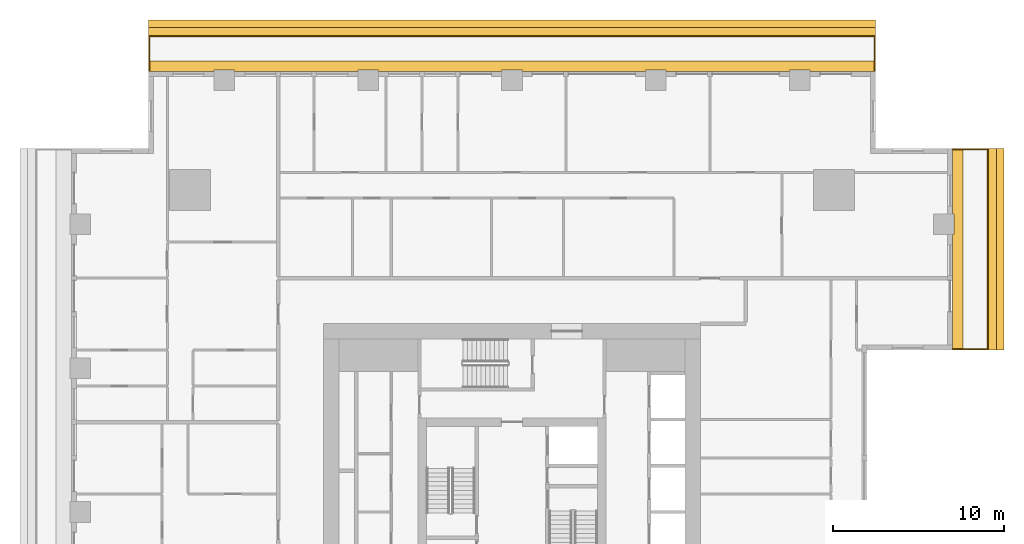
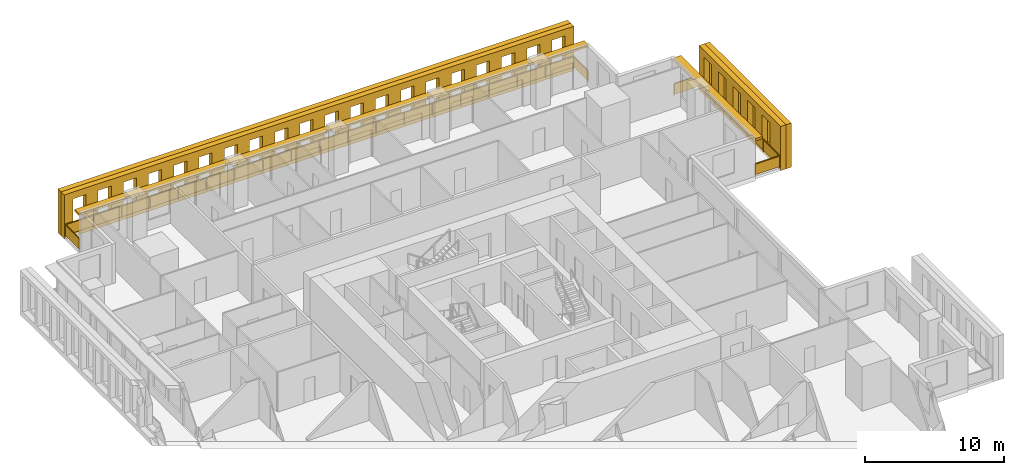
# One storey, part 15 of 15: 6 shading devices, 2 railings.
"""IFC4 building model written with IfcOpenShell, lengths in metres."""

import ifcopenshell
import ifcopenshell.guid

model = None  # the IFC model being written
_history = None  # IfcOwnerHistory: only IFC2X3 demands one
_inside = {}  # id of a spatial element -> (the spatial element, [elements in it])
_under = {}  # id of a project, library or spatial element -> (it, [spatial elements below it])
_declared = {}  # id of a project -> (the project, [libraries it declares])
_typed = {}  # id of a type object -> (the type object, [elements of that type])
_made_of = {}  # id of a material, layer set ... -> (it, [elements and type objects made of it])


def new_model(schema):
    """Start an empty IFC model of exactly this schema.

    Asked for "IFC4X3", IfcOpenShell would pick the latest addendum, in which some entities
    have other attributes; the version numbers below select the first issue.
    IFC2X3 requires an IfcOwnerHistory on every rooted entity: one is made here for all.
    """
    global model, _history
    if schema == "IFC4X3":
        model = ifcopenshell.file(schema_version=(4, 3, 0, 0))
    else:
        model = ifcopenshell.file(schema=schema)
    _inside.clear()
    _under.clear()
    _declared.clear()
    _typed.clear()
    _made_of.clear()
    _history = None
    if model.schema == "IFC2X3":
        org = make("IfcOrganization", Name="unknown")
        user = make(
            "IfcPersonAndOrganization",
            ThePerson=make("IfcPerson", FamilyName="unknown"),
            TheOrganization=org,
        )
        app = make(
            "IfcApplication",
            ApplicationDeveloper=org,
            Version="unknown",
            ApplicationFullName="unknown",
            ApplicationIdentifier="unknown",
        )
        _history = make(
            "IfcOwnerHistory",
            OwningUser=user,
            OwningApplication=app,
            ChangeAction="ADDED",
            CreationDate=0,
        )
    return model


def make(cls, **values):
    """One entity of the class cls with the attributes given. An attribute that is None is left unset."""
    return model.create_entity(
        cls, **{name: value for name, value in values.items() if value is not None}
    )


def rooted(cls, **values):
    """An entity with a GlobalId (a new one), such as an element, a storey or a relation."""
    return make(cls, GlobalId=ifcopenshell.guid.new(), OwnerHistory=_history, **values)


def si_unit(unit_type, name, prefix=None):
    """IfcSIUnit, for example si_unit("LENGTHUNIT", "METRE", prefix="MILLI")."""
    return make("IfcSIUnit", UnitType=unit_type, Prefix=prefix, Name=name)


def assignment(units):
    """IfcUnitAssignment: the units of a project."""
    return None if units is None else make("IfcUnitAssignment", Units=units)


def point(xyz):
    """IfcCartesianPoint."""
    return None if xyz is None else make("IfcCartesianPoint", Coordinates=xyz)


def direction(xyz):
    """IfcDirection."""
    return None if xyz is None else make("IfcDirection", DirectionRatios=xyz)


def frame(location, z_axis=None, x_axis=None):
    """IfcAxis2Placement3D, a coordinate frame: its origin and axes. An axis left out is left unset."""
    return make(
        "IfcAxis2Placement3D",
        Location=point(location),
        Axis=direction(z_axis),
        RefDirection=direction(x_axis),
    )


def frame_2d(location, x_axis=None):
    """IfcAxis2Placement2D, a coordinate frame in the plane: its origin and x axis."""
    return make(
        "IfcAxis2Placement2D", Location=point(location), RefDirection=direction(x_axis)
    )


def origin():
    """The frame at (0, 0, 0) with its axes left unset."""
    return frame((0.0, 0.0, 0.0))


def origin_2d():
    """The frame at (0, 0) in the plane with its x axis left unset."""
    return frame_2d((0.0, 0.0))


def place(relative_to, where):
    """IfcLocalPlacement: puts the frame where relative to a parent placement (None: the world)."""
    return make(
        "IfcLocalPlacement", PlacementRelTo=relative_to, RelativePlacement=where
    )


def context(
    kind, dimensions, precision=None, world=None, true_north=None, identifier=None
):
    """IfcGeometricRepresentationContext, for example the 3D "Model" context."""
    return make(
        "IfcGeometricRepresentationContext",
        ContextIdentifier=identifier,
        ContextType=kind,
        CoordinateSpaceDimension=dimensions,
        Precision=precision,
        WorldCoordinateSystem=world,
        TrueNorth=true_north,
    )


def subcontext(parent, identifier, kind, view, scale=None):
    """IfcGeometricRepresentationSubContext, for example "Body" below "Model"."""
    return make(
        "IfcGeometricRepresentationSubContext",
        ContextIdentifier=identifier,
        ContextType=kind,
        ParentContext=parent,
        TargetScale=scale,
        TargetView=view,
    )


def project(units=None, contexts=None):
    """IfcProject with its units and contexts."""
    return rooted(
        "IfcProject",
        Name="project",
        RepresentationContexts=contexts,
        UnitsInContext=assignment(units),
    )


def spatial(cls, under=None, at=None, **own):
    """A site, building, storey or space (cls), placed at a placement, below another one or the project."""
    s = rooted(cls, ObjectPlacement=at, **own)
    if under is not None:
        _under.setdefault(under.id(), (under, []))[1].append(s)
    return s


def polyline(points):
    """IfcPolyline through the points."""
    return make("IfcPolyline", Points=[point(p) for p in points])


def profile(cls, at=None, kind="AREA", **sizes):
    """A parametric profile (cls). Its sizes go by their IFC names, for example OverallWidth=200.0."""
    return make(cls, ProfileType=kind, Position=at, **sizes)


def rectangle(**sizes):
    """IfcRectangleProfileDef."""
    return profile("IfcRectangleProfileDef", **sizes)


def outline(outer, holes=None, kind="AREA"):
    """IfcArbitraryClosedProfileDef: a profile drawn as a closed curve; with holes, ...WithVoids."""
    if holes is None:
        return make("IfcArbitraryClosedProfileDef", ProfileType=kind, OuterCurve=outer)
    return make(
        "IfcArbitraryProfileDefWithVoids",
        ProfileType=kind,
        OuterCurve=outer,
        InnerCurves=holes,
    )


def extrude(swept, where, along, depth):
    """IfcExtrudedAreaSolid: the profile swept, set in the frame where, extruded along a direction by depth."""
    return make(
        "IfcExtrudedAreaSolid",
        SweptArea=swept,
        Position=where,
        ExtrudedDirection=direction(along),
        Depth=depth,
    )


def shape(context_of_items, identifier, shape_type, items):
    """IfcShapeRepresentation: the items that make up one representation, for example the "Body"."""
    return make(
        "IfcShapeRepresentation",
        ContextOfItems=context_of_items,
        RepresentationIdentifier=identifier,
        RepresentationType=shape_type,
        Items=items,
    )


def material(Name=None, Category=None):
    """IfcMaterial."""
    return make("IfcMaterial", Name=Name, Category=Category)


def layer(
    of_material, thickness, ventilated=None, Name=None, Category=None, Priority=None
):
    """IfcMaterialLayer: one layer of a wall or slab, of a material (None: an air gap)."""
    return make(
        "IfcMaterialLayer",
        Material=of_material,
        LayerThickness=thickness,
        IsVentilated=ventilated,
        Name=Name,
        Category=Category,
        Priority=Priority,
    )


def layer_set(layers, Name=None):
    """IfcMaterialLayerSet."""
    return make("IfcMaterialLayerSet", MaterialLayers=layers, LayerSetName=Name)


def made_of(thing, what):
    """Note that an element or type object is made of a material, layer set ...; save() writes the relation."""
    if what is not None:
        _made_of.setdefault(what.id(), (what, []))[1].append(thing)
    return thing


def type_object(cls, material=None, **own):
    """A type object (cls), such as IfcWallType, which elements share."""
    return made_of(rooted(cls, **own), material)


def element(
    cls,
    number,
    at=None,
    inside=None,
    cuts=None,
    type_object=None,
    material=None,
    context=None,
    identifier="Body",
    shape_type=None,
    held_by="IfcProductDefinitionShape",
    body=None,
    shapes=None,
    **own,
):
    """One element of the class cls, such as IfcWall. Its Tag is "e" and its number.

    at: its placement. inside: the storey or other place that contains it. cuts: it is an
    opening in that element (IfcRelVoidsElement). A single representation is given by context,
    identifier, shape_type and body (its items); several are given by shapes. held_by: the class
    of the entity that holds the representations. save() writes the other relations.
    """
    e = rooted(cls, Tag="e%d" % number, ObjectPlacement=at, **own)
    if body is not None:
        shapes = [shape(context, identifier, shape_type, body)]
    if shapes is not None:
        e.Representation = make(held_by, Representations=shapes)
    if inside is not None:
        _inside.setdefault(inside.id(), (inside, []))[1].append(e)
    if cuts is not None:
        rooted(
            "IfcRelVoidsElement", RelatingBuildingElement=cuts, RelatedOpeningElement=e
        )
    if type_object is not None:
        _typed.setdefault(type_object.id(), (type_object, []))[1].append(e)
    return made_of(e, material)


def aggregate(whole, parts):
    """IfcRelAggregates: a whole, such as a stair, and the parts it consists of."""
    return rooted("IfcRelAggregates", RelatingObject=whole, RelatedObjects=parts)


def save(model, path):
    """Write the relations noted so far, then the file.

    IfcRelAggregates (storeys below a building ...), IfcRelContainedInSpatialStructure (elements
    in a storey), IfcRelDefinesByType, IfcRelAssociatesMaterial and IfcRelDeclares: one each for
    every whole, place, type object, material and project.
    """
    for whole, parts in _under.values():
        aggregate(whole, parts)
    for where, things in _inside.values():
        rooted(
            "IfcRelContainedInSpatialStructure",
            RelatedElements=things,
            RelatingStructure=where,
        )
    for kind, things in _typed.values():
        rooted("IfcRelDefinesByType", RelatedObjects=things, RelatingType=kind)
    for what, things in _made_of.values():
        rooted("IfcRelAssociatesMaterial", RelatedObjects=things, RelatingMaterial=what)
    for by, libraries in _declared.values():
        rooted("IfcRelDeclares", RelatingContext=by, RelatedDefinitions=libraries)
    model.write(path)


model = new_model("IFC4")

# Units and contexts
model_context = context("Model", 3, precision=1e-05, world=origin(), true_north=direction((0.0, 1.0)))
body_context = subcontext(model_context, "Body", "Model", "MODEL_VIEW")
ifc_project = project(units=[si_unit("LENGTHUNIT", "METRE"), si_unit("AREAUNIT", "SQUARE_METRE"), si_unit("VOLUMEUNIT", "CUBIC_METRE"), si_unit("PLANEANGLEUNIT", "RADIAN"), si_unit("MASSUNIT", "GRAM", prefix="KILO")], contexts=[model_context])

# Site, building, storey
site_placement = place(None, origin())
site = spatial("IfcSite", under=ifc_project, at=site_placement, CompositionType="ELEMENT")
building_placement = place(site_placement, origin())
building = spatial("IfcBuilding", under=site, at=building_placement, Name="Khepri Terraces", CompositionType="ELEMENT")
storey_placement = place(building_placement, frame((0.0, 0.0, 215.699951171875)))
storey = spatial("IfcBuildingStorey", under=building, at=storey_placement, Name="L51", CompositionType="ELEMENT", Elevation=215.699951171875)

# Railings
ifc_material_1 = material(Name="Stainless steel grade 316", Category="steel")
railing_type = type_object("IfcRailingType", Name="GRD-BAL-1100", PredefinedType="GUARDRAIL", material=ifc_material_1)
railing_1_placement = place(storey_placement, frame((25.719970703125, 9.5, 0.0)))
element("IfcRailing", 1, at=railing_1_placement, inside=storey, type_object=railing_type, Name="Balcony guard L51 E", PredefinedType="GUARDRAIL", context=body_context, shape_type="SweptSolid", body=[
    extrude(rectangle(XDim=0.050048828125, YDim=0.06005859375, at=origin_2d()), frame((0.0, 0.0, 1.070068359375), z_axis=(1.0, 0.0, 0.0), x_axis=(0.0, 1.0, 0.0)), (0.0, 0.0, 1.0), 2.050048828125),
    extrude(rectangle(XDim=2.0, YDim=0.011962890625, at=origin_2d()), frame((1.02490234375, 0.0, 0.10009765625), z_axis=(0.0, 0.0, 1.0), x_axis=(1.0, 0.0, 0.0)), (0.0, 0.0, 1.0), 0.93994140625),
    extrude(rectangle(XDim=0.050048828125, YDim=0.06005859375, at=origin_2d()), frame((2.050048828125, 0.0, 1.070068359375), z_axis=(0.0, 1.0, 0.0), x_axis=(-1.0, 0.0, 0.0)), (0.0, 0.0, 1.0), 11.669921875),
    extrude(rectangle(XDim=2.283935546875, YDim=0.011962890625, at=origin_2d()), frame((2.050048828125, 1.1669921875, 0.10009765625), z_axis=(0.0, 0.0, 1.0), x_axis=(0.0, 1.0, 0.0)), (0.0, 0.0, 1.0), 0.93994140625),
    extrude(rectangle(XDim=2.283935546875, YDim=0.011962890625, at=origin_2d()), frame((2.050048828125, 3.5009765625, 0.10009765625), z_axis=(0.0, 0.0, 1.0), x_axis=(0.0, 1.0, 0.0)), (0.0, 0.0, 1.0), 0.93994140625),
    extrude(rectangle(XDim=2.283935546875, YDim=0.011962890625, at=origin_2d()), frame((2.050048828125, 5.8349609375, 0.10009765625), z_axis=(0.0, 0.0, 1.0), x_axis=(0.0, 1.0, 0.0)), (0.0, 0.0, 1.0), 0.93994140625),
    extrude(rectangle(XDim=2.283935546875, YDim=0.011962890625, at=origin_2d()), frame((2.050048828125, 8.1689453125, 0.10009765625), z_axis=(0.0, 0.0, 1.0), x_axis=(0.0, 1.0, 0.0)), (0.0, 0.0, 1.0), 0.93994140625),
    extrude(rectangle(XDim=2.283935546875, YDim=0.011962890625, at=origin_2d()), frame((2.050048828125, 10.5029296875, 0.10009765625), z_axis=(0.0, 0.0, 1.0), x_axis=(0.0, 1.0, 0.0)), (0.0, 0.0, 1.0), 0.93994140625),
    extrude(rectangle(XDim=0.050048828125, YDim=0.06005859375, at=origin_2d()), frame((2.050048828125, 11.669921875, 1.070068359375), z_axis=(-1.0, 0.0, 0.0), x_axis=(0.0, -1.0, 0.0)), (0.0, 0.0, 1.0), 2.050048828125),
    extrude(rectangle(XDim=2.0, YDim=0.011962890625, at=origin_2d()), frame((1.02490234375, 11.669921875, 0.10009765625), z_axis=(0.0, 0.0, 1.0), x_axis=(-1.0, 0.0, 0.0)), (0.0, 0.0, 1.0), 0.93994140625),
    extrude(rectangle(XDim=0.050048828125, YDim=0.050048828125, at=origin_2d()), origin(), (0.0, 0.0, 1.0), 1.0400390625),
    extrude(rectangle(XDim=0.050048828125, YDim=0.050048828125, at=origin_2d()), frame((2.050048828125, 0.0, 0.0)), (0.0, 0.0, 1.0), 1.0400390625),
    extrude(rectangle(XDim=0.050048828125, YDim=0.050048828125, at=origin_2d()), frame((2.050048828125, 2.333984375, 0.0)), (0.0, 0.0, 1.0), 1.0400390625),
    extrude(rectangle(XDim=0.050048828125, YDim=0.050048828125, at=origin_2d()), frame((2.050048828125, 4.66796875, 0.0)), (0.0, 0.0, 1.0), 1.0400390625),
    extrude(rectangle(XDim=0.050048828125, YDim=0.050048828125, at=origin_2d()), frame((2.050048828125, 7.001953125, 0.0)), (0.0, 0.0, 1.0), 1.0400390625),
    extrude(rectangle(XDim=0.050048828125, YDim=0.050048828125, at=origin_2d()), frame((2.050048828125, 9.3359375, 0.0)), (0.0, 0.0, 1.0), 1.0400390625),
    extrude(rectangle(XDim=0.050048828125, YDim=0.050048828125, at=origin_2d()), frame((2.050048828125, 11.669921875, 0.0)), (0.0, 0.0, 1.0), 1.0400390625),
    extrude(rectangle(XDim=0.050048828125, YDim=0.050048828125, at=origin_2d()), frame((0.0, 11.669921875, 0.0)), (0.0, 0.0, 1.0), 1.0400390625),
])
railing_2_placement = place(storey_placement, frame((21.169921875, 25.719970703125, 0.0)))
element("IfcRailing", 2, at=railing_2_placement, inside=storey, type_object=railing_type, Name="Balcony guard L51 N", PredefinedType="GUARDRAIL", context=body_context, shape_type="SweptSolid", body=[
    extrude(rectangle(XDim=0.050048828125, YDim=0.06005859375, at=origin_2d()), frame((0.0, 0.0, 1.070068359375), z_axis=(0.0, 1.0, 0.0), x_axis=(-1.0, 0.0, 0.0)), (0.0, 0.0, 1.0), 2.050048828125),
    extrude(rectangle(XDim=2.0, YDim=0.011962890625, at=origin_2d()), frame((0.0, 1.02490234375, 0.10009765625), z_axis=(0.0, 0.0, 1.0), x_axis=(0.0, 1.0, 0.0)), (0.0, 0.0, 1.0), 0.93994140625),
    extrude(rectangle(XDim=0.050048828125, YDim=0.06005859375, at=origin_2d()), frame((0.0, 2.050048828125, 1.070068359375), z_axis=(-1.0, 0.0, 0.0), x_axis=(0.0, -1.0, 0.0)), (0.0, 0.0, 1.0), 42.33984375),
    extrude(rectangle(XDim=2.30224609375, YDim=0.011962890625, at=origin_2d()), frame((-1.176025390625, 2.050048828125, 0.10009765625), z_axis=(0.0, 0.0, 1.0), x_axis=(-1.0, 0.0, 0.0)), (0.0, 0.0, 1.0), 0.93994140625),
    extrude(rectangle(XDim=2.30224609375, YDim=0.011962890625, at=origin_2d()), frame((-3.5283203125, 2.050048828125, 0.10009765625), z_axis=(0.0, 0.0, 1.0), x_axis=(-1.0, 0.0, 0.0)), (0.0, 0.0, 1.0), 0.93994140625),
    extrude(rectangle(XDim=2.30224609375, YDim=0.011962890625, at=origin_2d()), frame((-5.880615234375, 2.050048828125, 0.10009765625), z_axis=(0.0, 0.0, 1.0), x_axis=(-1.0, 0.0, 0.0)), (0.0, 0.0, 1.0), 0.93994140625),
    extrude(rectangle(XDim=2.30224609375, YDim=0.011962890625, at=origin_2d()), frame((-8.232666015625, 2.050048828125, 0.10009765625), z_axis=(0.0, 0.0, 1.0), x_axis=(-1.0, 0.0, 0.0)), (0.0, 0.0, 1.0), 0.93994140625),
    extrude(rectangle(XDim=2.30224609375, YDim=0.011962890625, at=origin_2d()), frame((-10.5849609375, 2.050048828125, 0.10009765625), z_axis=(0.0, 0.0, 1.0), x_axis=(-1.0, 0.0, 0.0)), (0.0, 0.0, 1.0), 0.93994140625),
    extrude(rectangle(XDim=2.30224609375, YDim=0.011962890625, at=origin_2d()), frame((-12.937255859375, 2.050048828125, 0.10009765625), z_axis=(0.0, 0.0, 1.0), x_axis=(-1.0, 0.0, 0.0)), (0.0, 0.0, 1.0), 0.93994140625),
    extrude(rectangle(XDim=2.30224609375, YDim=0.011962890625, at=origin_2d()), frame((-15.289306640625, 2.050048828125, 0.10009765625), z_axis=(0.0, 0.0, 1.0), x_axis=(-1.0, 0.0, 0.0)), (0.0, 0.0, 1.0), 0.93994140625),
    extrude(rectangle(XDim=2.30224609375, YDim=0.011962890625, at=origin_2d()), frame((-17.6416015625, 2.050048828125, 0.10009765625), z_axis=(0.0, 0.0, 1.0), x_axis=(-1.0, 0.0, 0.0)), (0.0, 0.0, 1.0), 0.93994140625),
    extrude(rectangle(XDim=2.30224609375, YDim=0.011962890625, at=origin_2d()), frame((-19.993896484375, 2.050048828125, 0.10009765625), z_axis=(0.0, 0.0, 1.0), x_axis=(-1.0, 0.0, 0.0)), (0.0, 0.0, 1.0), 0.93994140625),
    extrude(rectangle(XDim=2.30224609375, YDim=0.011962890625, at=origin_2d()), frame((-22.345947265625, 2.050048828125, 0.10009765625), z_axis=(0.0, 0.0, 1.0), x_axis=(-1.0, 0.0, 0.0)), (0.0, 0.0, 1.0), 0.93994140625),
    extrude(rectangle(XDim=2.30224609375, YDim=0.011962890625, at=origin_2d()), frame((-24.6982421875, 2.050048828125, 0.10009765625), z_axis=(0.0, 0.0, 1.0), x_axis=(-1.0, 0.0, 0.0)), (0.0, 0.0, 1.0), 0.93994140625),
    extrude(rectangle(XDim=2.30224609375, YDim=0.011962890625, at=origin_2d()), frame((-27.050537109375, 2.050048828125, 0.10009765625), z_axis=(0.0, 0.0, 1.0), x_axis=(-1.0, 0.0, 0.0)), (0.0, 0.0, 1.0), 0.93994140625),
    extrude(rectangle(XDim=2.30224609375, YDim=0.011962890625, at=origin_2d()), frame((-29.402587890625, 2.050048828125, 0.10009765625), z_axis=(0.0, 0.0, 1.0), x_axis=(-1.0, 0.0, 0.0)), (0.0, 0.0, 1.0), 0.93994140625),
    extrude(rectangle(XDim=2.30224609375, YDim=0.011962890625, at=origin_2d()), frame((-31.7548828125, 2.050048828125, 0.10009765625), z_axis=(0.0, 0.0, 1.0), x_axis=(-1.0, 0.0, 0.0)), (0.0, 0.0, 1.0), 0.93994140625),
    extrude(rectangle(XDim=2.30224609375, YDim=0.011962890625, at=origin_2d()), frame((-34.107177734375, 2.050048828125, 0.10009765625), z_axis=(0.0, 0.0, 1.0), x_axis=(-1.0, 0.0, 0.0)), (0.0, 0.0, 1.0), 0.93994140625),
    extrude(rectangle(XDim=2.30224609375, YDim=0.011962890625, at=origin_2d()), frame((-36.459228515625, 2.050048828125, 0.10009765625), z_axis=(0.0, 0.0, 1.0), x_axis=(-1.0, 0.0, 0.0)), (0.0, 0.0, 1.0), 0.93994140625),
    extrude(rectangle(XDim=2.30224609375, YDim=0.011962890625, at=origin_2d()), frame((-38.8115234375, 2.050048828125, 0.10009765625), z_axis=(0.0, 0.0, 1.0), x_axis=(-1.0, 0.0, 0.0)), (0.0, 0.0, 1.0), 0.93994140625),
    extrude(rectangle(XDim=2.30224609375, YDim=0.011962890625, at=origin_2d()), frame((-41.163818359375, 2.050048828125, 0.10009765625), z_axis=(0.0, 0.0, 1.0), x_axis=(-1.0, 0.0, 0.0)), (0.0, 0.0, 1.0), 0.93994140625),
    extrude(rectangle(XDim=0.050048828125, YDim=0.06005859375, at=origin_2d()), frame((-42.33984375, 2.050048828125, 1.070068359375), z_axis=(0.0, -1.0, 0.0), x_axis=(1.0, 0.0, 0.0)), (0.0, 0.0, 1.0), 2.050048828125),
    extrude(rectangle(XDim=2.0, YDim=0.011962890625, at=origin_2d()), frame((-42.33984375, 1.02490234375, 0.10009765625), z_axis=(0.0, 0.0, 1.0), x_axis=(0.0, -1.0, 0.0)), (0.0, 0.0, 1.0), 0.93994140625),
    extrude(rectangle(XDim=0.050048828125, YDim=0.050048828125, at=origin_2d()), origin(), (0.0, 0.0, 1.0), 1.0400390625),
    extrude(rectangle(XDim=0.050048828125, YDim=0.050048828125, at=origin_2d()), frame((0.0, 2.050048828125, 0.0)), (0.0, 0.0, 1.0), 1.0400390625),
    extrude(rectangle(XDim=0.050048828125, YDim=0.050048828125, at=origin_2d()), frame((-2.352294921875, 2.050048828125, 0.0)), (0.0, 0.0, 1.0), 1.0400390625),
    extrude(rectangle(XDim=0.050048828125, YDim=0.050048828125, at=origin_2d()), frame((-4.704345703125, 2.050048828125, 0.0)), (0.0, 0.0, 1.0), 1.0400390625),
    extrude(rectangle(XDim=0.050048828125, YDim=0.050048828125, at=origin_2d()), frame((-7.056640625, 2.050048828125, 0.0)), (0.0, 0.0, 1.0), 1.0400390625),
    extrude(rectangle(XDim=0.050048828125, YDim=0.050048828125, at=origin_2d()), frame((-9.408935546875, 2.050048828125, 0.0)), (0.0, 0.0, 1.0), 1.0400390625),
    extrude(rectangle(XDim=0.050048828125, YDim=0.050048828125, at=origin_2d()), frame((-11.760986328125, 2.050048828125, 0.0)), (0.0, 0.0, 1.0), 1.0400390625),
    extrude(rectangle(XDim=0.050048828125, YDim=0.050048828125, at=origin_2d()), frame((-14.11328125, 2.050048828125, 0.0)), (0.0, 0.0, 1.0), 1.0400390625),
    extrude(rectangle(XDim=0.050048828125, YDim=0.050048828125, at=origin_2d()), frame((-16.465576171875, 2.050048828125, 0.0)), (0.0, 0.0, 1.0), 1.0400390625),
    extrude(rectangle(XDim=0.050048828125, YDim=0.050048828125, at=origin_2d()), frame((-18.817626953125, 2.050048828125, 0.0)), (0.0, 0.0, 1.0), 1.0400390625),
    extrude(rectangle(XDim=0.050048828125, YDim=0.050048828125, at=origin_2d()), frame((-21.169921875, 2.050048828125, 0.0)), (0.0, 0.0, 1.0), 1.0400390625),
    extrude(rectangle(XDim=0.050048828125, YDim=0.050048828125, at=origin_2d()), frame((-23.522216796875, 2.050048828125, 0.0)), (0.0, 0.0, 1.0), 1.0400390625),
    extrude(rectangle(XDim=0.050048828125, YDim=0.050048828125, at=origin_2d()), frame((-25.874267578125, 2.050048828125, 0.0)), (0.0, 0.0, 1.0), 1.0400390625),
    extrude(rectangle(XDim=0.050048828125, YDim=0.050048828125, at=origin_2d()), frame((-28.2265625, 2.050048828125, 0.0)), (0.0, 0.0, 1.0), 1.0400390625),
    extrude(rectangle(XDim=0.050048828125, YDim=0.050048828125, at=origin_2d()), frame((-30.578857421875, 2.050048828125, 0.0)), (0.0, 0.0, 1.0), 1.0400390625),
    extrude(rectangle(XDim=0.050048828125, YDim=0.050048828125, at=origin_2d()), frame((-32.930908203125, 2.050048828125, 0.0)), (0.0, 0.0, 1.0), 1.0400390625),
    extrude(rectangle(XDim=0.050048828125, YDim=0.050048828125, at=origin_2d()), frame((-35.283203125, 2.050048828125, 0.0)), (0.0, 0.0, 1.0), 1.0400390625),
    extrude(rectangle(XDim=0.050048828125, YDim=0.050048828125, at=origin_2d()), frame((-37.635498046875, 2.050048828125, 0.0)), (0.0, 0.0, 1.0), 1.0400390625),
    extrude(rectangle(XDim=0.050048828125, YDim=0.050048828125, at=origin_2d()), frame((-39.987548828125, 2.050048828125, 0.0)), (0.0, 0.0, 1.0), 1.0400390625),
    extrude(rectangle(XDim=0.050048828125, YDim=0.050048828125, at=origin_2d()), frame((-42.33984375, 2.050048828125, 0.0)), (0.0, 0.0, 1.0), 1.0400390625),
    extrude(rectangle(XDim=0.050048828125, YDim=0.050048828125, at=origin_2d()), frame((-42.33984375, 0.0, 0.0)), (0.0, 0.0, 1.0), 1.0400390625),
])

# Shading devices
ifc_material_2 = material(Name="Precast concrete C50/60 warm stone", Category="masonry")
shading_device_type_1 = type_object("IfcShadingDeviceType", Name="SCR-CELL-INNER-450", PredefinedType="USERDEFINED", material=ifc_material_2)
shading_device_1_placement = place(storey_placement, frame((27.820068359375, 9.449951171875, -0.25), z_axis=(1.0, 0.0, 0.0), x_axis=(0.0, 1.0, 0.0)))
element("IfcShadingDevice", 3, at=shading_device_1_placement, inside=storey, type_object=shading_device_type_1, Name="Cell screen L51 E in", ObjectType="SCREEN", PredefinedType="USERDEFINED", context=body_context, shape_type="SweptSolid", body=[
    extrude(outline(polyline([(0.0, 0.0), (11.77001953125, 0.0), (11.77001953125, 3.89990234375), (0.0, 3.89990234375), (0.0, 0.0)]), holes=[polyline([(1.556640625, 0.699951171875), (2.643310546875, 0.699951171875), (2.643310546875, 3.300048828125), (1.556640625, 3.300048828125), (1.556640625, 0.699951171875)]), polyline([(3.656494140625, 0.699951171875), (4.743408203125, 0.699951171875), (4.743408203125, 3.300048828125), (3.656494140625, 3.300048828125), (3.656494140625, 0.699951171875)]), polyline([(5.756591796875, 0.699951171875), (6.843505859375, 0.699951171875), (6.843505859375, 3.300048828125), (5.756591796875, 3.300048828125), (5.756591796875, 0.699951171875)]), polyline([(7.856689453125, 0.699951171875), (8.943359375, 0.699951171875), (8.943359375, 3.300048828125), (7.856689453125, 3.300048828125), (7.856689453125, 0.699951171875)]), polyline([(9.95654296875, 0.699951171875), (11.04345703125, 0.699951171875), (11.04345703125, 3.300048828125), (9.95654296875, 3.300048828125), (9.95654296875, 0.699951171875)])]), origin(), (0.0, 0.0, 1.0), 0.449951171875),
])
shading_device_2_placement = place(storey_placement, frame((21.219970703125, 27.820068359375, -0.25), z_axis=(0.0, 1.0, 0.0), x_axis=(-1.0, 0.0, 0.0)))
element("IfcShadingDevice", 4, at=shading_device_2_placement, inside=storey, type_object=shading_device_type_1, Name="Cell screen L51 N in", ObjectType="SCREEN", PredefinedType="USERDEFINED", context=body_context, shape_type="SweptSolid", body=[
    extrude(outline(polyline([(0.0, 0.0), (42.43994140625, 0.0), (42.43994140625, 3.89990234375), (0.0, 3.89990234375), (0.0, 0.0)]), holes=[polyline([(0.7265625, 0.699951171875), (1.8134765625, 0.699951171875), (1.8134765625, 3.300048828125), (0.7265625, 3.300048828125), (0.7265625, 0.699951171875)]), polyline([(2.82666015625, 0.699951171875), (3.913330078125, 0.699951171875), (3.913330078125, 3.300048828125), (2.82666015625, 3.300048828125), (2.82666015625, 0.699951171875)]), polyline([(4.926513671875, 0.699951171875), (6.013427734375, 0.699951171875), (6.013427734375, 3.300048828125), (4.926513671875, 3.300048828125), (4.926513671875, 0.699951171875)]), polyline([(7.026611328125, 0.699951171875), (8.11328125, 0.699951171875), (8.11328125, 3.300048828125), (7.026611328125, 3.300048828125), (7.026611328125, 0.699951171875)]), polyline([(9.126708984375, 0.699951171875), (10.21337890625, 0.699951171875), (10.21337890625, 3.300048828125), (9.126708984375, 3.300048828125), (9.126708984375, 0.699951171875)]), polyline([(11.2265625, 0.699951171875), (12.3134765625, 0.699951171875), (12.3134765625, 3.300048828125), (11.2265625, 3.300048828125), (11.2265625, 0.699951171875)]), polyline([(13.32666015625, 0.699951171875), (14.413330078125, 0.699951171875), (14.413330078125, 3.300048828125), (13.32666015625, 3.300048828125), (13.32666015625, 0.699951171875)]), polyline([(15.426513671875, 0.699951171875), (16.513427734375, 0.699951171875), (16.513427734375, 3.300048828125), (15.426513671875, 3.300048828125), (15.426513671875, 0.699951171875)]), polyline([(17.526611328125, 0.699951171875), (18.61328125, 0.699951171875), (18.61328125, 3.300048828125), (17.526611328125, 3.300048828125), (17.526611328125, 0.699951171875)]), polyline([(19.626708984375, 0.699951171875), (20.71337890625, 0.699951171875), (20.71337890625, 3.300048828125), (19.626708984375, 3.300048828125), (19.626708984375, 0.699951171875)]), polyline([(21.7265625, 0.699951171875), (22.8134765625, 0.699951171875), (22.8134765625, 3.300048828125), (21.7265625, 3.300048828125), (21.7265625, 0.699951171875)]), polyline([(23.82666015625, 0.699951171875), (24.913330078125, 0.699951171875), (24.913330078125, 3.300048828125), (23.82666015625, 3.300048828125), (23.82666015625, 0.699951171875)]), polyline([(25.926513671875, 0.699951171875), (27.013427734375, 0.699951171875), (27.013427734375, 3.300048828125), (25.926513671875, 3.300048828125), (25.926513671875, 0.699951171875)]), polyline([(28.026611328125, 0.699951171875), (29.11328125, 0.699951171875), (29.11328125, 3.300048828125), (28.026611328125, 3.300048828125), (28.026611328125, 0.699951171875)]), polyline([(30.126708984375, 0.699951171875), (31.21337890625, 0.699951171875), (31.21337890625, 3.300048828125), (30.126708984375, 3.300048828125), (30.126708984375, 0.699951171875)]), polyline([(32.2265625, 0.699951171875), (33.3134765625, 0.699951171875), (33.3134765625, 3.300048828125), (32.2265625, 3.300048828125), (32.2265625, 0.699951171875)]), polyline([(34.32666015625, 0.699951171875), (35.413330078125, 0.699951171875), (35.413330078125, 3.300048828125), (34.32666015625, 3.300048828125), (34.32666015625, 0.699951171875)]), polyline([(36.426513671875, 0.699951171875), (37.513427734375, 0.699951171875), (37.513427734375, 3.300048828125), (36.426513671875, 3.300048828125), (36.426513671875, 0.699951171875)]), polyline([(38.526611328125, 0.699951171875), (39.61328125, 0.699951171875), (39.61328125, 3.300048828125), (38.526611328125, 3.300048828125), (38.526611328125, 0.699951171875)]), polyline([(40.626708984375, 0.699951171875), (41.71337890625, 0.699951171875), (41.71337890625, 3.300048828125), (40.626708984375, 3.300048828125), (40.626708984375, 0.699951171875)])]), origin(), (0.0, 0.0, 1.0), 0.449951171875),
])
shading_device_type_2 = type_object("IfcShadingDeviceType", Name="SCR-CELL-OUTER-450", PredefinedType="USERDEFINED", material=ifc_material_2)
shading_device_3_placement = place(storey_placement, frame((28.27001953125, 9.449951171875, -0.25), z_axis=(1.0, 0.0, 0.0), x_axis=(0.0, 1.0, 0.0)))
element("IfcShadingDevice", 5, at=shading_device_3_placement, inside=storey, type_object=shading_device_type_2, Name="Cell screen L51 E out", ObjectType="SCREEN", PredefinedType="USERDEFINED", context=body_context, shape_type="SweptSolid", body=[
    extrude(outline(polyline([(0.0, 0.0), (11.77001953125, 0.0), (11.77001953125, 3.89990234375), (0.0, 3.89990234375), (0.0, 0.0)]), holes=[polyline([(1.20654296875, 0.449951171875), (2.993408203125, 0.449951171875), (2.993408203125, 3.550048828125), (1.20654296875, 3.550048828125), (1.20654296875, 0.449951171875)]), polyline([(3.306640625, 0.449951171875), (5.093505859375, 0.449951171875), (5.093505859375, 3.550048828125), (3.306640625, 3.550048828125), (3.306640625, 0.449951171875)]), polyline([(5.406494140625, 0.449951171875), (7.193359375, 0.449951171875), (7.193359375, 3.550048828125), (5.406494140625, 3.550048828125), (5.406494140625, 0.449951171875)]), polyline([(7.506591796875, 0.449951171875), (9.29345703125, 0.449951171875), (9.29345703125, 3.550048828125), (7.506591796875, 3.550048828125), (7.506591796875, 0.449951171875)]), polyline([(9.606689453125, 0.449951171875), (11.393310546875, 0.449951171875), (11.393310546875, 3.550048828125), (9.606689453125, 3.550048828125), (9.606689453125, 0.449951171875)])]), origin(), (0.0, 0.0, 1.0), 0.449951171875),
])
shading_device_4_placement = place(storey_placement, frame((21.219970703125, 28.27001953125, -0.25), z_axis=(0.0, 1.0, 0.0), x_axis=(-1.0, 0.0, 0.0)))
element("IfcShadingDevice", 6, at=shading_device_4_placement, inside=storey, type_object=shading_device_type_2, Name="Cell screen L51 N out", ObjectType="SCREEN", PredefinedType="USERDEFINED", context=body_context, shape_type="SweptSolid", body=[
    extrude(outline(polyline([(0.0, 0.0), (42.43994140625, 0.0), (42.43994140625, 3.89990234375), (0.0, 3.89990234375), (0.0, 0.0)]), holes=[polyline([(0.376708984375, 0.449951171875), (2.163330078125, 0.449951171875), (2.163330078125, 3.550048828125), (0.376708984375, 3.550048828125), (0.376708984375, 0.449951171875)]), polyline([(2.4765625, 0.449951171875), (4.263427734375, 0.449951171875), (4.263427734375, 3.550048828125), (2.4765625, 3.550048828125), (2.4765625, 0.449951171875)]), polyline([(4.57666015625, 0.449951171875), (6.36328125, 0.449951171875), (6.36328125, 3.550048828125), (4.57666015625, 3.550048828125), (4.57666015625, 0.449951171875)]), polyline([(6.676513671875, 0.449951171875), (8.46337890625, 0.449951171875), (8.46337890625, 3.550048828125), (6.676513671875, 3.550048828125), (6.676513671875, 0.449951171875)]), polyline([(8.776611328125, 0.449951171875), (10.5634765625, 0.449951171875), (10.5634765625, 3.550048828125), (8.776611328125, 3.550048828125), (8.776611328125, 0.449951171875)]), polyline([(10.876708984375, 0.449951171875), (12.663330078125, 0.449951171875), (12.663330078125, 3.550048828125), (10.876708984375, 3.550048828125), (10.876708984375, 0.449951171875)]), polyline([(12.9765625, 0.449951171875), (14.763427734375, 0.449951171875), (14.763427734375, 3.550048828125), (12.9765625, 3.550048828125), (12.9765625, 0.449951171875)]), polyline([(15.07666015625, 0.449951171875), (16.86328125, 0.449951171875), (16.86328125, 3.550048828125), (15.07666015625, 3.550048828125), (15.07666015625, 0.449951171875)]), polyline([(17.176513671875, 0.449951171875), (18.96337890625, 0.449951171875), (18.96337890625, 3.550048828125), (17.176513671875, 3.550048828125), (17.176513671875, 0.449951171875)]), polyline([(19.276611328125, 0.449951171875), (21.0634765625, 0.449951171875), (21.0634765625, 3.550048828125), (19.276611328125, 3.550048828125), (19.276611328125, 0.449951171875)]), polyline([(21.376708984375, 0.449951171875), (23.163330078125, 0.449951171875), (23.163330078125, 3.550048828125), (21.376708984375, 3.550048828125), (21.376708984375, 0.449951171875)]), polyline([(23.4765625, 0.449951171875), (25.263427734375, 0.449951171875), (25.263427734375, 3.550048828125), (23.4765625, 3.550048828125), (23.4765625, 0.449951171875)]), polyline([(25.57666015625, 0.449951171875), (27.36328125, 0.449951171875), (27.36328125, 3.550048828125), (25.57666015625, 3.550048828125), (25.57666015625, 0.449951171875)]), polyline([(27.676513671875, 0.449951171875), (29.46337890625, 0.449951171875), (29.46337890625, 3.550048828125), (27.676513671875, 3.550048828125), (27.676513671875, 0.449951171875)]), polyline([(29.776611328125, 0.449951171875), (31.5634765625, 0.449951171875), (31.5634765625, 3.550048828125), (29.776611328125, 3.550048828125), (29.776611328125, 0.449951171875)]), polyline([(31.876708984375, 0.449951171875), (33.663330078125, 0.449951171875), (33.663330078125, 3.550048828125), (31.876708984375, 3.550048828125), (31.876708984375, 0.449951171875)]), polyline([(33.9765625, 0.449951171875), (35.763427734375, 0.449951171875), (35.763427734375, 3.550048828125), (33.9765625, 3.550048828125), (33.9765625, 0.449951171875)]), polyline([(36.07666015625, 0.449951171875), (37.86328125, 0.449951171875), (37.86328125, 3.550048828125), (36.07666015625, 3.550048828125), (36.07666015625, 0.449951171875)]), polyline([(38.176513671875, 0.449951171875), (39.96337890625, 0.449951171875), (39.96337890625, 3.550048828125), (38.176513671875, 3.550048828125), (38.176513671875, 0.449951171875)]), polyline([(40.276611328125, 0.449951171875), (42.0634765625, 0.449951171875), (42.0634765625, 3.550048828125), (40.276611328125, 3.550048828125), (40.276611328125, 0.449951171875)])]), origin(), (0.0, 0.0, 1.0), 0.449951171875),
])
ifc_layer = layer(ifc_material_2, 0.199951171875, Name="Precast concrete C50/60 warm stone", Category="masonry")
ifc_layer_set = layer_set([ifc_layer], Name="Precast concrete C50/60 warm stone")
shading_device_type_3 = type_object("IfcShadingDeviceType", Name="SSH-BAND-STONE-200-N", PredefinedType="USERDEFINED", material=ifc_layer_set)
shading_device_5_placement = place(storey_placement, frame((0.0, 0.0, 3.10009765625)))
element("IfcShadingDevice", 7, at=shading_device_5_placement, inside=storey, type_object=shading_device_type_3, Name="Sunshade band L51 E", ObjectType="SUNSHADE", PredefinedType="USERDEFINED", context=body_context, shape_type="SweptSolid", body=[
    extrude(outline(polyline([(25.719970703125, 16.199951171875), (25.719970703125, 9.449951171875), (26.320068359375, 9.449951171875), (26.320068359375, 21.219970703125), (25.719970703125, 21.219970703125), (25.719970703125, 17.39990234375), (25.800048828125, 17.39990234375), (25.800048828125, 16.199951171875), (25.719970703125, 16.199951171875)])), origin(), (0.0, 0.0, 1.0), 0.199951171875),
])
shading_device_6_placement = place(storey_placement, frame((0.0, 0.0, 3.10009765625)))
element("IfcShadingDevice", 8, at=shading_device_6_placement, inside=storey, type_object=shading_device_type_3, Name="Sunshade band L51 N", ObjectType="SUNSHADE", PredefinedType="USERDEFINED", context=body_context, shape_type="SweptSolid", body=[
    extrude(outline(polyline([(17.39990234375, 25.719970703125), (21.219970703125, 25.719970703125), (21.219970703125, 26.320068359375), (-21.219970703125, 26.320068359375), (-21.219970703125, 25.719970703125), (-17.39990234375, 25.719970703125), (-17.39990234375, 25.800048828125), (-16.199951171875, 25.800048828125), (-16.199951171875, 25.719970703125), (-9.0, 25.719970703125), (-9.0, 25.800048828125), (-7.800048828125, 25.800048828125), (-7.800048828125, 25.719970703125), (-0.60009765625, 25.719970703125), (-0.60009765625, 25.800048828125), (0.60009765625, 25.800048828125), (0.60009765625, 25.719970703125), (7.800048828125, 25.719970703125), (7.800048828125, 25.800048828125), (9.0, 25.800048828125), (9.0, 25.719970703125), (16.199951171875, 25.719970703125), (16.199951171875, 25.800048828125), (17.39990234375, 25.800048828125), (17.39990234375, 25.719970703125)])), origin(), (0.0, 0.0, 1.0), 0.199951171875),
])

save(model, "model.ifc")
